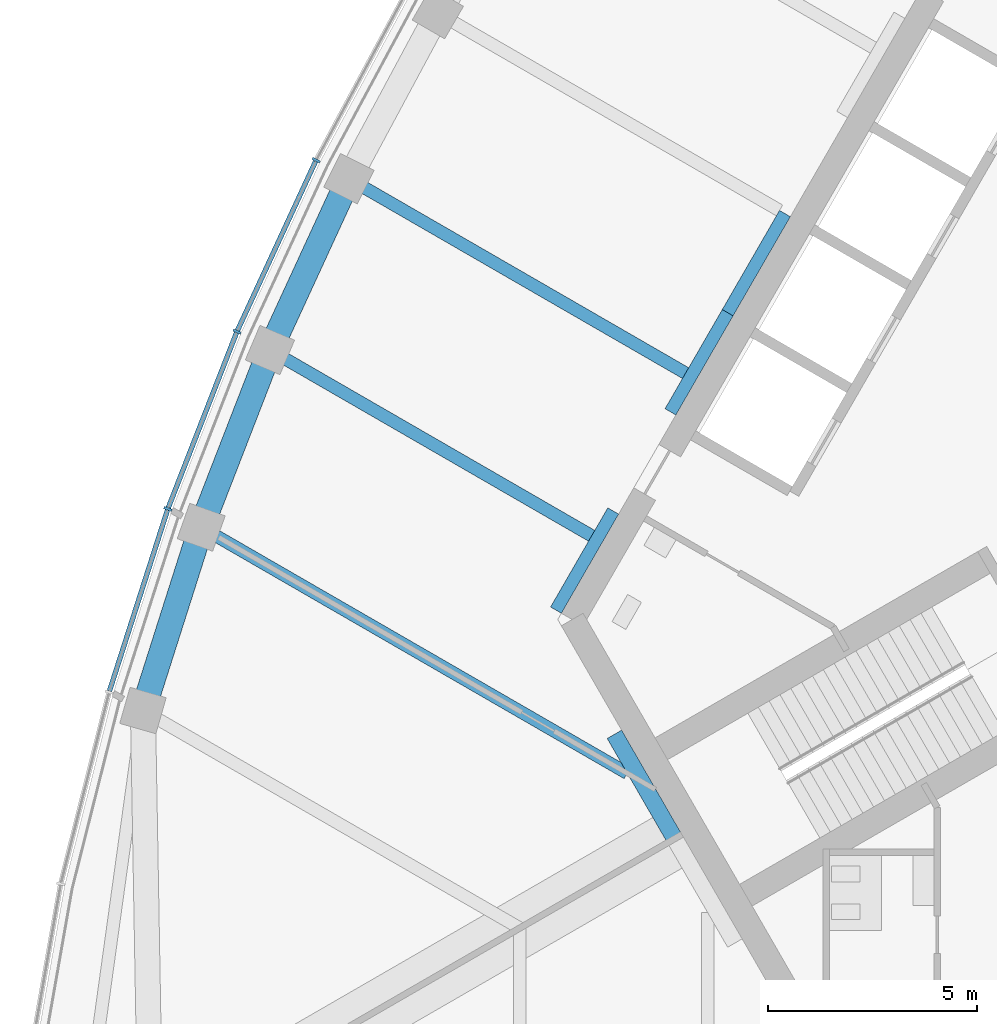
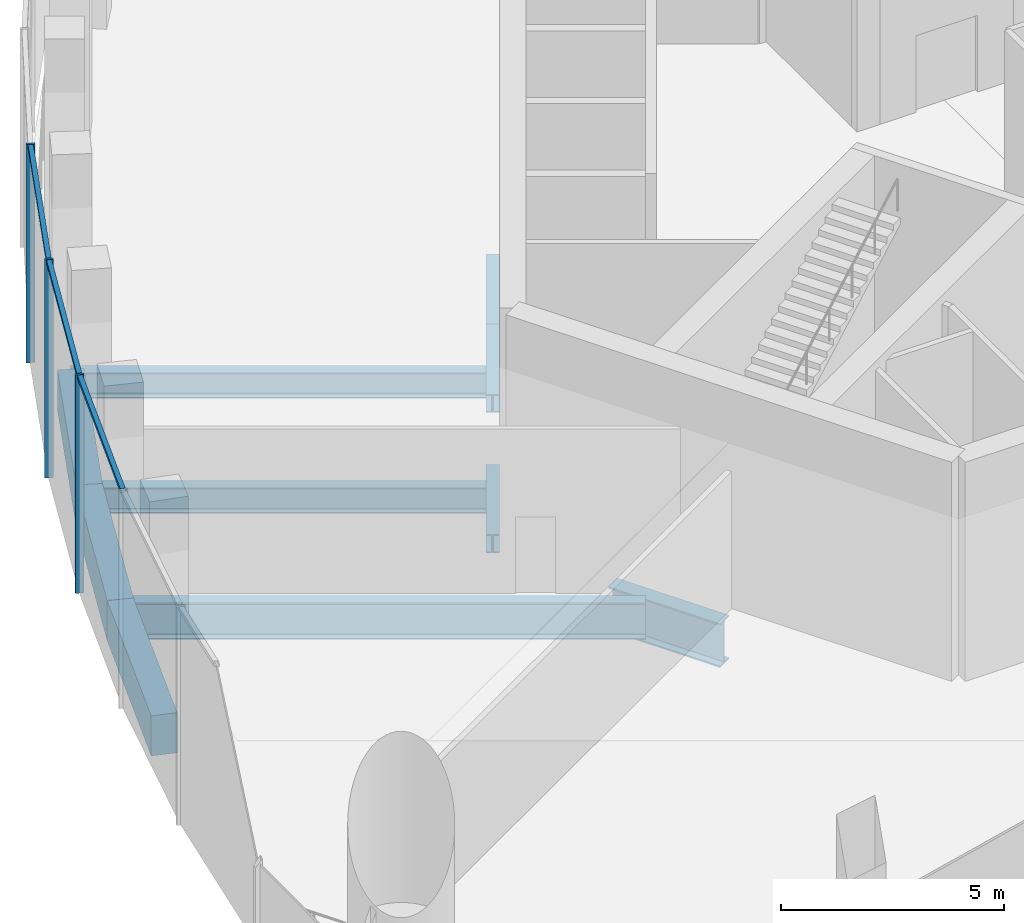
# One storey, part 3 of 15: 10 beams, 6 members, 1 element without a shape of its own.
"""IFC4 building model written with IfcOpenShell, lengths in metres."""

import ifcopenshell
import ifcopenshell.guid

model = None  # the IFC model being written
_history = None  # IfcOwnerHistory: only IFC2X3 demands one
_inside = {}  # id of a spatial element -> (the spatial element, [elements in it])
_under = {}  # id of a project, library or spatial element -> (it, [spatial elements below it])
_declared = {}  # id of a project -> (the project, [libraries it declares])
_typed = {}  # id of a type object -> (the type object, [elements of that type])
_made_of = {}  # id of a material, layer set ... -> (it, [elements and type objects made of it])


def new_model(schema):
    """Start an empty IFC model of exactly this schema.

    Asked for "IFC4X3", IfcOpenShell would pick the latest addendum, in which some entities
    have other attributes; the version numbers below select the first issue.
    IFC2X3 requires an IfcOwnerHistory on every rooted entity: one is made here for all.
    """
    global model, _history
    if schema == "IFC4X3":
        model = ifcopenshell.file(schema_version=(4, 3, 0, 0))
    else:
        model = ifcopenshell.file(schema=schema)
    _inside.clear()
    _under.clear()
    _declared.clear()
    _typed.clear()
    _made_of.clear()
    _history = None
    if model.schema == "IFC2X3":
        org = make("IfcOrganization", Name="unknown")
        user = make(
            "IfcPersonAndOrganization",
            ThePerson=make("IfcPerson", FamilyName="unknown"),
            TheOrganization=org,
        )
        app = make(
            "IfcApplication",
            ApplicationDeveloper=org,
            Version="unknown",
            ApplicationFullName="unknown",
            ApplicationIdentifier="unknown",
        )
        _history = make(
            "IfcOwnerHistory",
            OwningUser=user,
            OwningApplication=app,
            ChangeAction="ADDED",
            CreationDate=0,
        )
    return model


def make(cls, **values):
    """One entity of the class cls with the attributes given. An attribute that is None is left unset."""
    return model.create_entity(
        cls, **{name: value for name, value in values.items() if value is not None}
    )


def rooted(cls, **values):
    """An entity with a GlobalId (a new one), such as an element, a storey or a relation."""
    return make(cls, GlobalId=ifcopenshell.guid.new(), OwnerHistory=_history, **values)


def si_unit(unit_type, name, prefix=None):
    """IfcSIUnit, for example si_unit("LENGTHUNIT", "METRE", prefix="MILLI")."""
    return make("IfcSIUnit", UnitType=unit_type, Prefix=prefix, Name=name)


def assignment(units):
    """IfcUnitAssignment: the units of a project."""
    return None if units is None else make("IfcUnitAssignment", Units=units)


def point(xyz):
    """IfcCartesianPoint."""
    return None if xyz is None else make("IfcCartesianPoint", Coordinates=xyz)


def direction(xyz):
    """IfcDirection."""
    return None if xyz is None else make("IfcDirection", DirectionRatios=xyz)


def frame(location, z_axis=None, x_axis=None):
    """IfcAxis2Placement3D, a coordinate frame: its origin and axes. An axis left out is left unset."""
    return make(
        "IfcAxis2Placement3D",
        Location=point(location),
        Axis=direction(z_axis),
        RefDirection=direction(x_axis),
    )


def frame_2d(location, x_axis=None):
    """IfcAxis2Placement2D, a coordinate frame in the plane: its origin and x axis."""
    return make(
        "IfcAxis2Placement2D", Location=point(location), RefDirection=direction(x_axis)
    )


def origin():
    """The frame at (0, 0, 0) with its axes left unset."""
    return frame((0.0, 0.0, 0.0))


def origin_2d():
    """The frame at (0, 0) in the plane with its x axis left unset."""
    return frame_2d((0.0, 0.0))


def place(relative_to, where):
    """IfcLocalPlacement: puts the frame where relative to a parent placement (None: the world)."""
    return make(
        "IfcLocalPlacement", PlacementRelTo=relative_to, RelativePlacement=where
    )


def context(
    kind, dimensions, precision=None, world=None, true_north=None, identifier=None
):
    """IfcGeometricRepresentationContext, for example the 3D "Model" context."""
    return make(
        "IfcGeometricRepresentationContext",
        ContextIdentifier=identifier,
        ContextType=kind,
        CoordinateSpaceDimension=dimensions,
        Precision=precision,
        WorldCoordinateSystem=world,
        TrueNorth=true_north,
    )


def subcontext(parent, identifier, kind, view, scale=None):
    """IfcGeometricRepresentationSubContext, for example "Body" below "Model"."""
    return make(
        "IfcGeometricRepresentationSubContext",
        ContextIdentifier=identifier,
        ContextType=kind,
        ParentContext=parent,
        TargetScale=scale,
        TargetView=view,
    )


def project(units=None, contexts=None):
    """IfcProject with its units and contexts."""
    return rooted(
        "IfcProject",
        Name="project",
        RepresentationContexts=contexts,
        UnitsInContext=assignment(units),
    )


def spatial(cls, under=None, at=None, **own):
    """A site, building, storey or space (cls), placed at a placement, below another one or the project."""
    s = rooted(cls, ObjectPlacement=at, **own)
    if under is not None:
        _under.setdefault(under.id(), (under, []))[1].append(s)
    return s


def profile(cls, at=None, kind="AREA", **sizes):
    """A parametric profile (cls). Its sizes go by their IFC names, for example OverallWidth=200.0."""
    return make(cls, ProfileType=kind, Position=at, **sizes)


def rectangle(**sizes):
    """IfcRectangleProfileDef."""
    return profile("IfcRectangleProfileDef", **sizes)


def i_section(**sizes):
    """IfcIShapeProfileDef."""
    return profile("IfcIShapeProfileDef", **sizes)


def extrude(swept, where, along, depth):
    """IfcExtrudedAreaSolid: the profile swept, set in the frame where, extruded along a direction by depth."""
    return make(
        "IfcExtrudedAreaSolid",
        SweptArea=swept,
        Position=where,
        ExtrudedDirection=direction(along),
        Depth=depth,
    )


def shape(context_of_items, identifier, shape_type, items):
    """IfcShapeRepresentation: the items that make up one representation, for example the "Body"."""
    return make(
        "IfcShapeRepresentation",
        ContextOfItems=context_of_items,
        RepresentationIdentifier=identifier,
        RepresentationType=shape_type,
        Items=items,
    )


def material(Name=None, Category=None):
    """IfcMaterial."""
    return make("IfcMaterial", Name=Name, Category=Category)


def material_profile(
    of_material, cross_section, Name=None, Category=None, Priority=None
):
    """IfcMaterialProfile: a cross section and its material."""
    return make(
        "IfcMaterialProfile",
        Name=Name,
        Material=of_material,
        Profile=cross_section,
        Priority=Priority,
        Category=Category,
    )


def profile_set(profiles, Name=None, composite=None):
    """IfcMaterialProfileSet."""
    return make(
        "IfcMaterialProfileSet",
        Name=Name,
        MaterialProfiles=profiles,
        CompositeProfile=composite,
    )


def made_of(thing, what):
    """Note that an element or type object is made of a material, layer set ...; save() writes the relation."""
    if what is not None:
        _made_of.setdefault(what.id(), (what, []))[1].append(thing)
    return thing


def type_object(cls, material=None, **own):
    """A type object (cls), such as IfcWallType, which elements share."""
    return made_of(rooted(cls, **own), material)


def element(
    cls,
    number,
    at=None,
    inside=None,
    cuts=None,
    type_object=None,
    material=None,
    context=None,
    identifier="Body",
    shape_type=None,
    held_by="IfcProductDefinitionShape",
    body=None,
    shapes=None,
    **own,
):
    """One element of the class cls, such as IfcWall. Its Tag is "e" and its number.

    at: its placement. inside: the storey or other place that contains it. cuts: it is an
    opening in that element (IfcRelVoidsElement). A single representation is given by context,
    identifier, shape_type and body (its items); several are given by shapes. held_by: the class
    of the entity that holds the representations. save() writes the other relations.
    """
    e = rooted(cls, Tag="e%d" % number, ObjectPlacement=at, **own)
    if body is not None:
        shapes = [shape(context, identifier, shape_type, body)]
    if shapes is not None:
        e.Representation = make(held_by, Representations=shapes)
    if inside is not None:
        _inside.setdefault(inside.id(), (inside, []))[1].append(e)
    if cuts is not None:
        rooted(
            "IfcRelVoidsElement", RelatingBuildingElement=cuts, RelatedOpeningElement=e
        )
    if type_object is not None:
        _typed.setdefault(type_object.id(), (type_object, []))[1].append(e)
    return made_of(e, material)


def aggregate(whole, parts):
    """IfcRelAggregates: a whole, such as a stair, and the parts it consists of."""
    return rooted("IfcRelAggregates", RelatingObject=whole, RelatedObjects=parts)


def save(model, path):
    """Write the relations noted so far, then the file.

    IfcRelAggregates (storeys below a building ...), IfcRelContainedInSpatialStructure (elements
    in a storey), IfcRelDefinesByType, IfcRelAssociatesMaterial and IfcRelDeclares: one each for
    every whole, place, type object, material and project.
    """
    for whole, parts in _under.values():
        aggregate(whole, parts)
    for where, things in _inside.values():
        rooted(
            "IfcRelContainedInSpatialStructure",
            RelatedElements=things,
            RelatingStructure=where,
        )
    for kind, things in _typed.values():
        rooted("IfcRelDefinesByType", RelatedObjects=things, RelatingType=kind)
    for what, things in _made_of.values():
        rooted("IfcRelAssociatesMaterial", RelatedObjects=things, RelatingMaterial=what)
    for by, libraries in _declared.values():
        rooted("IfcRelDeclares", RelatingContext=by, RelatedDefinitions=libraries)
    model.write(path)


model = new_model("IFC4")

# Units and contexts
model_context = context("Model", 3, precision=1e-05, world=origin(), true_north=direction((0.0, 1.0)))
body_context = subcontext(model_context, "Body", "Model", "MODEL_VIEW")
ifc_project = project(units=[si_unit("LENGTHUNIT", "METRE"), si_unit("AREAUNIT", "SQUARE_METRE"), si_unit("VOLUMEUNIT", "CUBIC_METRE"), si_unit("PLANEANGLEUNIT", "RADIAN"), si_unit("MASSUNIT", "GRAM", prefix="KILO")], contexts=[model_context])

# Site, building, storey
site_placement = place(None, origin())
site = spatial("IfcSite", under=ifc_project, at=site_placement, CompositionType="ELEMENT")
building_placement = place(site_placement, origin())
building = spatial("IfcBuilding", under=site, at=building_placement, Name="Trefoil Bronze Tower", CompositionType="ELEMENT")
storey_placement = place(building_placement, frame((0.0, 0.0, 322.5)))
storey = spatial("IfcBuildingStorey", under=building, at=storey_placement, Name="L74", CompositionType="ELEMENT", Elevation=322.5)

# Curtain wall, members
ifc_material_1 = material(Name="Tinted solar-control glass", Category="glass")
curtain_wall_type = type_object("IfcCurtainWallType", Name="Bronze observation curtain wall", PredefinedType="USERDEFINED", material=ifc_material_1)
curtain_wall_placement = place(storey_placement, origin())
curtain_wall = element("IfcCurtainWall", 1, at=curtain_wall_placement, inside=storey, type_object=curtain_wall_type, Name="CW-E L74 F3", ObjectType="CURTAIN WALL", PredefinedType="USERDEFINED")
ifc_material_2 = material(Name="Bronze-finish aluminium", Category="aluminium")
ifc_material_profile_1 = material_profile(ifc_material_2, rectangle(XDim=0.199951171875, YDim=0.06005859375, at=origin_2d()), Name="CW-E mullion")
ifc_profile_set_1 = profile_set([ifc_material_profile_1], Name="Bronze-finish aluminium")
member_type_1 = type_object("IfcMemberType", Name="Bronze observation curtain wall mullion", PredefinedType="MULLION", material=ifc_profile_set_1)
member_1_placement = place(storey_placement, frame((-22.877685546875, 8.005126953125, 0.0), z_axis=(0.0, 0.0, 1.0), x_axis=(0.894713198289, -0.44664112306, 0.0)))
member_1 = element("IfcMember", 2, at=member_1_placement, type_object=member_type_1, Name="CW-E L74 F3 mullion 7", PredefinedType="MULLION", context=body_context, shape_type="SweptSolid", body=[
    extrude(rectangle(XDim=0.199951171875, YDim=0.06005859375, at=origin_2d()), origin(), (0.0, 0.0, 1.0), 5.97998046875),
])
member_2_placement = place(storey_placement, frame((-24.77490234375, 3.8974609375, 0.0), z_axis=(0.0, 0.0, 1.0), x_axis=(0.920205407004, -0.391435829888, 0.0)))
member_2 = element("IfcMember", 3, at=member_2_placement, type_object=member_type_1, Name="CW-E L74 F3 mullion 8", PredefinedType="MULLION", context=body_context, shape_type="SweptSolid", body=[
    extrude(rectangle(XDim=0.199951171875, YDim=0.06005859375, at=origin_2d()), origin(), (0.0, 0.0, 1.0), 5.97998046875),
])
member_3_placement = place(storey_placement, frame((-26.430419921875, -0.349853515625, 0.0), z_axis=(0.0, 0.0, 1.0), x_axis=(0.942448408407, -0.334351607581, 0.0)))
member_3 = element("IfcMember", 4, at=member_3_placement, type_object=member_type_1, Name="CW-E L74 F3 mullion 9", PredefinedType="MULLION", context=body_context, shape_type="SweptSolid", body=[
    extrude(rectangle(XDim=0.199951171875, YDim=0.06005859375, at=origin_2d()), origin(), (0.0, 0.0, 1.0), 5.97998046875),
])
ifc_material_3 = material(Name="Bronze-finish aluminium", Category="aluminium")
ifc_material_profile_2 = material_profile(ifc_material_3, rectangle(XDim=0.1201171875, YDim=0.10009765625, at=origin_2d()), Name="CW-E transom")
ifc_profile_set_2 = profile_set([ifc_material_profile_2], Name="Bronze-finish aluminium")
member_type_2 = type_object("IfcMemberType", Name="Bronze observation curtain wall transom", PredefinedType="USERDEFINED", material=ifc_profile_set_2)
member_4_placement = place(storey_placement, frame((-22.891357421875, 7.975341796875, 5.929931640625), z_axis=(-0.419315109343, -0.907840756453, 0.0), x_axis=(0.907840756453, -0.419315109343, 0.0)))
member_4 = element("IfcMember", 5, at=member_4_placement, type_object=member_type_2, Name="CW-E L74 F3 transom 7", ObjectType="TRANSOM", PredefinedType="USERDEFINED", context=body_context, shape_type="SweptSolid", body=[
    extrude(rectangle(XDim=0.1201171875, YDim=0.10009765625, at=origin_2d()), origin(), (0.0, 0.0, 1.0), 4.458740234375),
])
member_5_placement = place(storey_placement, frame((-24.786865234375, 3.86669921875, 5.929931640625), z_axis=(-0.363196209907, -0.931712677336, 0.0), x_axis=(0.931712677336, -0.363196209907, 0.0)))
member_5 = element("IfcMember", 6, at=member_5_placement, type_object=member_type_2, Name="CW-E L74 F3 transom 8", ObjectType="TRANSOM", PredefinedType="USERDEFINED", context=body_context, shape_type="SweptSolid", body=[
    extrude(rectangle(XDim=0.1201171875, YDim=0.10009765625, at=origin_2d()), origin(), (0.0, 0.0, 1.0), 4.492431640625),
])
member_6_placement = place(storey_placement, frame((-26.440673828125, -0.38134765625, 5.929931640625), z_axis=(-0.305198695133, -0.952288693879, 0.0), x_axis=(0.952288693879, -0.305198695133, 0.0)))
member_6 = element("IfcMember", 7, at=member_6_placement, type_object=member_type_2, Name="CW-E L74 F3 transom 9", ObjectType="TRANSOM", PredefinedType="USERDEFINED", context=body_context, shape_type="SweptSolid", body=[
    extrude(rectangle(XDim=0.1201171875, YDim=0.10009765625, at=origin_2d()), origin(), (0.0, 0.0, 1.0), 4.54443359375),
])
aggregate(curtain_wall, [member_1, member_2, member_3, member_4, member_5, member_6])

# Beams
ifc_material_4 = material(Name="Steel C355", Category="steel")
ifc_material_profile_3 = material_profile(ifc_material_4, i_section(OverallWidth=0.300048828125, OverallDepth=0.5, WebThickness=0.014404296875, FlangeThickness=0.028076171875, FilletRadius=0.027099609375, at=origin_2d()), Name="HEB 500")
ifc_profile_set_3 = profile_set([ifc_material_profile_3], Name="Steel C355")
beam_type_1 = type_object("IfcBeamType", Name="Core seat beam HEB 500", PredefinedType="BEAM", material=ifc_profile_set_3)
for number, where, z_axis, x_axis, name in (
    (8, (-11.64794921875, 6.72509765625, -0.449951171875), (-0.500035825175, -0.866004719122, 0.0), (0.866004719122, -0.500035825175, 0.0), "Core seat beam F3/+0 L74"),
    (9, (-13.019287109375, 4.35009765625, -0.449951171875), (-0.499969057507, -0.866043267704, 0.0), (0.866043267704, -0.499969057507, 0.0), "Core seat beam F3/+1 L74"),
    (10, (-15.76171875, -0.39990234375, -0.449951171875), (-0.499969057507, -0.866043267704, 0.0), (0.866043267704, -0.499969057507, 0.0), "Core seat beam F3/+2 L74"),
):
    element("IfcBeam", number, at=place(storey_placement, frame(where, z_axis=z_axis, x_axis=x_axis)), inside=storey, type_object=beam_type_1, Name=name, PredefinedType="BEAM", context=body_context, shape_type="SweptSolid", body=[
        extrude(i_section(OverallWidth=0.300048828125, OverallDepth=0.5, WebThickness=0.014404296875, FlangeThickness=0.028076171875, FilletRadius=0.027099609375, at=origin_2d()), origin(), (0.0, 0.0, 1.0), 2.742431640625),
    ])
ifc_material_5 = material(Name="Steel C355", Category="steel")
ifc_material_profile_4 = material_profile(ifc_material_5, i_section(OverallWidth=0.39990234375, OverallDepth=1.199951171875, WebThickness=0.02001953125, FlangeThickness=0.0400390625, FilletRadius=0.010009765625, at=origin_2d()), Name="WPG 1200")
ifc_profile_set_4 = profile_set([ifc_material_profile_4], Name="Steel C355")
beam_type_2 = type_object("IfcBeamType", Name="Core seat beam WPG 1200", PredefinedType="BEAM", material=ifc_profile_set_4)
beam_1_placement = place(storey_placement, frame((-15.73291015625, -5.75, -0.800048828125), z_axis=(0.500059191753, -0.865991226713, 0.0), x_axis=(0.865991226713, 0.500059191753, 0.0)))
element("IfcBeam", 11, at=beam_1_placement, inside=storey, type_object=beam_type_2, Name="Core seat beam F3/+3 L74", PredefinedType="BEAM", context=body_context, shape_type="SweptSolid", body=[
    extrude(i_section(OverallWidth=0.39990234375, OverallDepth=1.199951171875, WebThickness=0.02001953125, FlangeThickness=0.0400390625, FilletRadius=0.010009765625, at=origin_2d()), origin(), (0.0, 0.0, 1.0), 2.886962890625),
])
ifc_material_6 = material(Name="Steel C355", Category="steel")
ifc_material_profile_5 = material_profile(ifc_material_6, i_section(OverallWidth=0.300048828125, OverallDepth=1.0, WebThickness=0.01904296875, FlangeThickness=0.035888671875, FilletRadius=0.030029296875, at=origin_2d()), Name="HEB 1000")
ifc_profile_set_5 = profile_set([ifc_material_profile_5], Name="Steel C355")
beam_type_3 = type_object("IfcBeamType", Name="Floor beam HEB 1000", PredefinedType="BEAM", material=ifc_profile_set_5)
beam_2_placement = place(storey_placement, frame((-25.631591796875, -0.7900390625, -0.699951171875), z_axis=(0.866026552003, -0.499998011222, 0.0), x_axis=(0.499998011222, 0.866026552003, 0.0)))
element("IfcBeam", 12, at=beam_2_placement, inside=storey, type_object=beam_type_3, Name="Floor beam F3/+3 L74", PredefinedType="BEAM", context=body_context, shape_type="SweptSolid", body=[
    extrude(i_section(OverallWidth=0.300048828125, OverallDepth=1.0, WebThickness=0.01904296875, FlangeThickness=0.035888671875, FilletRadius=0.030029296875, at=origin_2d()), origin(), (0.0, 0.0, 1.0), 11.78515625),
])
ifc_material_7 = material(Name="Steel C355", Category="steel")
ifc_material_profile_6 = material_profile(ifc_material_7, i_section(OverallWidth=0.300048828125, OverallDepth=0.699951171875, WebThickness=0.01708984375, FlangeThickness=0.031982421875, FilletRadius=0.027099609375, at=origin_2d()), Name="HEB 700")
ifc_profile_set_6 = profile_set([ifc_material_profile_6], Name="Steel C355")
beam_type_4 = type_object("IfcBeamType", Name="Floor beam HEB 700", PredefinedType="BEAM", material=ifc_profile_set_6)
beam_3_placement = place(storey_placement, frame((-22.093994140625, 7.559814453125, -0.550048828125), z_axis=(0.866026261222, -0.499998514871, 0.0), x_axis=(0.499998514871, 0.866026261222, 0.0)))
element("IfcBeam", 13, at=beam_3_placement, inside=storey, type_object=beam_type_4, Name="Floor beam F3/+1 L74", PredefinedType="BEAM", context=body_context, shape_type="SweptSolid", body=[
    extrude(i_section(OverallWidth=0.300048828125, OverallDepth=0.699951171875, WebThickness=0.01708984375, FlangeThickness=0.031982421875, FilletRadius=0.027099609375, at=origin_2d()), origin(), (0.0, 0.0, 1.0), 9.31396484375),
])
beam_4_placement = place(storey_placement, frame((-23.98486328125, 3.455322265625, -0.550048828125), z_axis=(0.866034827411, -0.499983677445, 0.0), x_axis=(0.499983677445, 0.866034827411, 0.0)))
element("IfcBeam", 14, at=beam_4_placement, inside=storey, type_object=beam_type_4, Name="Floor beam F3/+2 L74", PredefinedType="BEAM", context=body_context, shape_type="SweptSolid", body=[
    extrude(i_section(OverallWidth=0.300048828125, OverallDepth=0.699951171875, WebThickness=0.01708984375, FlangeThickness=0.031982421875, FilletRadius=0.027099609375, at=origin_2d()), origin(), (0.0, 0.0, 1.0), 8.899169921875),
])
ifc_material_8 = material(Name="Concrete B80", Category="concrete")
ifc_material_profile_7 = material_profile(ifc_material_8, rectangle(XDim=0.60009765625, YDim=1.10009765625, at=origin_2d()), Name="RC 600x1100")
ifc_profile_set_7 = profile_set([ifc_material_profile_7], Name="Concrete B80")
beam_type_5 = type_object("IfcBeamType", Name="Spandrel beam RC 600x1100", PredefinedType="SPANDREL", material=ifc_profile_set_7)
beam_5_placement = place(storey_placement, frame((-22.093994140625, 7.559814453125, -0.75), z_axis=(-0.418417425199, -0.90825484215, 0.0), x_axis=(0.90825484215, -0.418417425199, 0.0)))
element("IfcBeam", 15, at=beam_5_placement, inside=storey, type_object=beam_type_5, Name="Spandrel F3.7 L74", PredefinedType="SPANDREL", context=body_context, shape_type="SweptSolid", body=[
    extrude(rectangle(XDim=0.60009765625, YDim=1.10009765625, at=origin_2d()), origin(), (0.0, 0.0, 1.0), 4.51904296875),
])
beam_6_placement = place(storey_placement, frame((-23.98486328125, 3.455322265625, -0.75), z_axis=(-0.361636286502, -0.932319256631, 0.0), x_axis=(0.932319256631, -0.361636286502, 0.0)))
element("IfcBeam", 16, at=beam_6_placement, inside=storey, type_object=beam_type_5, Name="Spandrel F3.8 L74", PredefinedType="SPANDREL", context=body_context, shape_type="SweptSolid", body=[
    extrude(rectangle(XDim=0.60009765625, YDim=1.10009765625, at=origin_2d()), origin(), (0.0, 0.0, 1.0), 4.553466796875),
])
beam_7_placement = place(storey_placement, frame((-25.631591796875, -0.7900390625, -0.75), z_axis=(-0.302969597344, -0.953000221975, 0.0), x_axis=(0.953000221975, -0.302969597344, 0.0)))
element("IfcBeam", 17, at=beam_7_placement, inside=storey, type_object=beam_type_5, Name="Spandrel F3.9 L74", PredefinedType="SPANDREL", context=body_context, shape_type="SweptSolid", body=[
    extrude(rectangle(XDim=0.60009765625, YDim=1.10009765625, at=origin_2d()), origin(), (0.0, 0.0, 1.0), 4.60693359375),
])

save(model, "model.ifc")
